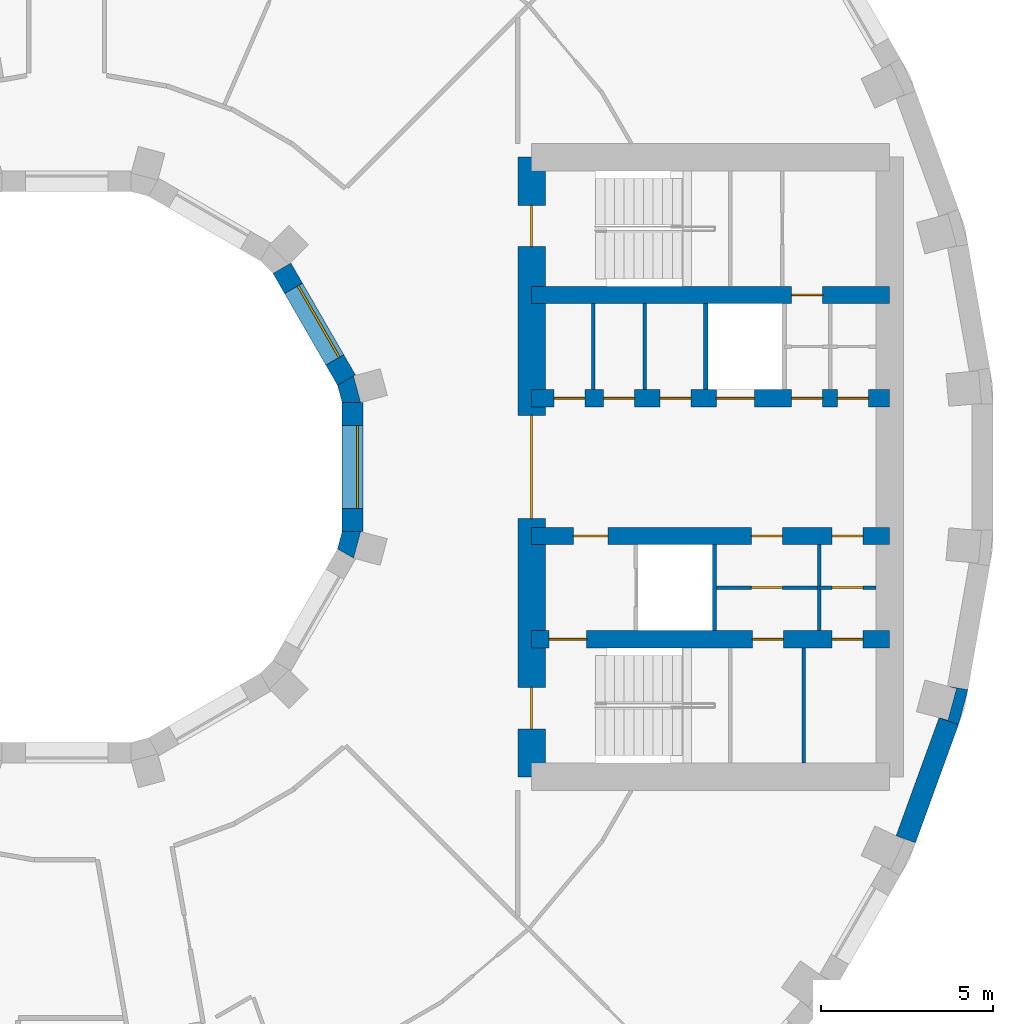
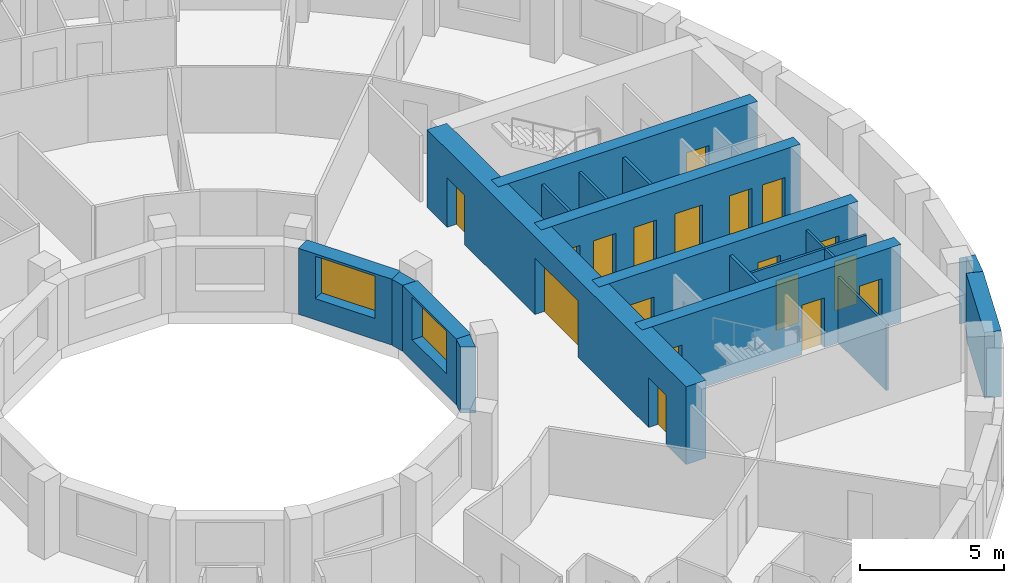
# One storey, part 9 of 15: 19 walls, 18 doors, 2 windows, 20 openings.
"""IFC4 building model written with IfcOpenShell, lengths in metres."""

from ifc_helpers import new_model, si_unit, direction, frame, frame_2d, origin, place, context, subcontext, project, spatial, polyline, rectangle, outline, extrude, material, layer, layer_set, type_object, element, fill, save


model = new_model("IFC4")

# Units and contexts
model_context = context("Model", 3, precision=1e-05, world=origin(), true_north=direction((0.0, 1.0)))
body_context = subcontext(model_context, "Body", "Model", "MODEL_VIEW")
ifc_project = project(units=[si_unit("LENGTHUNIT", "METRE"), si_unit("AREAUNIT", "SQUARE_METRE"), si_unit("VOLUMEUNIT", "CUBIC_METRE"), si_unit("PLANEANGLEUNIT", "RADIAN"), si_unit("MASSUNIT", "GRAM", prefix="KILO")], contexts=[model_context])

# Site, building, storey
site_placement = place(None, origin())
site = spatial("IfcSite", under=ifc_project, at=site_placement, CompositionType="ELEMENT")
building_placement = place(site_placement, origin())
building = spatial("IfcBuilding", under=site, at=building_placement, Name="Saqina Gate Tower", CompositionType="ELEMENT")
storey_placement = place(building_placement, frame((0.0, 0.0, 108.39990234375)))
storey = spatial("IfcBuildingStorey", under=building, at=storey_placement, Name="L30", CompositionType="ELEMENT", Elevation=108.39990234375)

# Walls
ifc_material_1 = material(Name="Brick masonry (buff)", Category="masonry")
wall_type_1 = type_object("IfcWallType", Name="BRICK PIER COPING BUFF", PredefinedType="SOLIDWALL", material=ifc_material_1)
wall_1_placement = place(storey_placement, origin())
element("IfcWall", 1, at=wall_1_placement, inside=storey, type_object=wall_type_1, Name="Pier cap L30 column 35", PredefinedType="SOLIDWALL", context=body_context, shape_type="SweptSolid", body=[
    extrude(outline(polyline([(25.89892578125, -7.485595703125), (26.171875, -6.466796875), (25.5810546875, -6.36279296875), (25.8408203125, -6.43212890625), (25.5947265625, -7.349853515625), (25.335205078125, -7.2802734375), (25.89892578125, -7.485595703125)])), origin(), (0.0, 0.0, 1.0), 2.800048828125),
])
ifc_material_2 = material(Name="Gypsum board on steel studs", Category="steel")
ifc_layer_1 = layer(ifc_material_2, 0.10009765625)
ifc_layer_set_1 = layer_set([ifc_layer_1], Name="CORE PARTITION")
wall_type_2 = type_object("IfcWallType", Name="CORE PARTITION", PredefinedType="PARTITIONING", material=ifc_layer_set_1)
for number, where, z_axis, x_axis, name in (
    (2, (15.298095703125, 2.25, 0.0), (0.0, 0.0, 1.0), (0.0, 1.0, 0.0), "L30-CP-E01"),
    (3, (16.789306640625, 2.25, 0.0), (0.0, 0.0, 1.0), (0.0, 1.0, 0.0), "L30-CP-E02"),
    (4, (21.8583984375, -4.75, 0.0), (0.0, 0.0, 1.0), (0.0, 1.0, 0.0), "L30-CP-E08"),
):
    element("IfcWall", number, at=place(storey_placement, frame(where, z_axis=z_axis, x_axis=x_axis)), inside=storey, type_object=wall_type_2, Name=name, PredefinedType="PARTITIONING", context=body_context, shape_type="SweptSolid", body=[
        extrude(rectangle(XDim=2.5, YDim=0.10009765625, at=frame_2d((1.25, 0.0))), origin(), (0.0, 0.0, 1.0), 2.800048828125),
    ])

# Wall, opening, door
wall_2_placement = place(storey_placement, frame((18.81005859375, -3.5, 0.0), z_axis=(0.0, 0.0, 1.0), x_axis=(1.0, 0.0, 0.0)))
wall_2 = element("IfcWall", 5, at=wall_2_placement, inside=storey, type_object=wall_type_2, Name="L30-CP-E11", PredefinedType="PARTITIONING", context=body_context, shape_type="SweptSolid", body=[
    extrude(rectangle(XDim=3.04833984375, YDim=0.10009765625, at=frame_2d((1.524169921875, 0.0))), origin(), (0.0, 0.0, 1.0), 2.800048828125),
])
opening_1_placement = place(wall_2_placement, frame((1.07421875, 0.0, 0.0)))
opening_1 = element("IfcOpeningElement", 6, at=opening_1_placement, cuts=wall_2, Name="Opening G08-D103", PredefinedType="OPENING", context=body_context, shape_type="SweptSolid", body=[
    extrude(rectangle(XDim=0.89990234375, YDim=2.10009765625, at=frame_2d((0.449951171875, 1.050048828125))), frame((0.0, 0.06201171875, 0.0), z_axis=(0.0, -1.0, 0.0), x_axis=(1.0, 0.0, 0.0)), (0.0, 0.0, 1.0), 0.1240234375),
])
ifc_material_3 = material(Name="Steel-framed fire door leaf, EI 60", Category="steel")
door_type_1 = type_object("IfcDoorType", Name="SERVICE ROOM DOOR 900", OperationType="SINGLE_SWING_LEFT", PredefinedType="DOOR", material=ifc_material_3)
door_1_placement = place(opening_1_placement, frame((0.89990234375, 0.0, 0.0), z_axis=(0.0, 0.0, 1.0), x_axis=(-1.0, 0.0, 0.0)))
door_1 = element("IfcDoor", 7, at=door_1_placement, inside=storey, type_object=door_type_1, Name="L30-CD-E14", OperationType="SINGLE_SWING_RIGHT", OverallHeight=2.10009765625, OverallWidth=0.89990234375, PredefinedType="DOOR", context=body_context, shape_type="SweptSolid", body=[
    extrude(rectangle(XDim=0.89990234375, YDim=2.10009765625, at=frame_2d((0.449951171875, 1.050048828125))), frame((0.0, 0.02490234375, 0.0), z_axis=(0.0, -1.0, 0.0), x_axis=(1.0, 0.0, 0.0)), (0.0, 0.0, 1.0), 0.050048828125),
])
fill(opening_1, door_1)

wall_3_placement = place(storey_placement, frame((21.8583984375, -3.5, 0.0), z_axis=(0.0, 0.0, 1.0), x_axis=(1.0, 0.0, 0.0)))
wall_3 = element("IfcWall", 8, at=wall_3_placement, inside=storey, type_object=wall_type_2, Name="L30-CP-E12", PredefinedType="PARTITIONING", context=body_context, shape_type="SweptSolid", body=[
    extrude(rectangle(XDim=1.6416015625, YDim=0.10009765625, at=frame_2d((0.82080078125, 0.0))), origin(), (0.0, 0.0, 1.0), 2.800048828125),
])
opening_2_placement = place(wall_3_placement, frame((0.370849609375, 0.0, 0.0)))
opening_2 = element("IfcOpeningElement", 9, at=opening_2_placement, cuts=wall_3, Name="Opening G08-D102", PredefinedType="OPENING", context=body_context, shape_type="SweptSolid", body=[
    extrude(rectangle(XDim=0.89990234375, YDim=2.10009765625, at=frame_2d((0.449951171875, 1.050048828125))), frame((0.0, 0.06201171875, 0.0), z_axis=(0.0, -1.0, 0.0), x_axis=(1.0, 0.0, 0.0)), (0.0, 0.0, 1.0), 0.1240234375),
])
door_2_placement = place(opening_2_placement, frame((0.89990234375, 0.0, 0.0), z_axis=(0.0, 0.0, 1.0), x_axis=(-1.0, 0.0, 0.0)))
door_2 = element("IfcDoor", 10, at=door_2_placement, inside=storey, type_object=door_type_1, Name="L30-CD-E13", OperationType="SINGLE_SWING_LEFT", OverallHeight=2.10009765625, OverallWidth=0.89990234375, PredefinedType="DOOR", context=body_context, shape_type="SweptSolid", body=[
    extrude(rectangle(XDim=0.89990234375, YDim=2.10009765625, at=frame_2d((0.449951171875, 1.050048828125))), frame((0.0, 0.02490234375, 0.0), z_axis=(0.0, -1.0, 0.0), x_axis=(1.0, 0.0, 0.0)), (0.0, 0.0, 1.0), 0.050048828125),
])
fill(opening_2, door_2)

# Walls
wall_4_placement = place(storey_placement, frame((21.409912109375, -8.60009765625, 0.0), z_axis=(0.0, 0.0, 1.0), x_axis=(0.0, 1.0, 0.0)))
element("IfcWall", 11, at=wall_4_placement, inside=storey, type_object=wall_type_2, Name="L30-CP-E16", PredefinedType="PARTITIONING", context=body_context, shape_type="SweptSolid", body=[
    extrude(rectangle(XDim=3.35009765625, YDim=0.10009765625, at=frame_2d((1.675048828125, 0.0))), origin(), (0.0, 0.0, 1.0), 2.800048828125),
])
ifc_material_4 = material(Name="Glazed ceramic tile (white)", Category="ceramic")
ifc_layer_2 = layer(ifc_material_4, 0.60009765625)
ifc_layer_set_2 = layer_set([ifc_layer_2], Name="FW-TILE-WH")
wall_type_3 = type_object("IfcWallType", Name="FW-TILE-WH", PredefinedType="SOLIDWALL", material=ifc_layer_set_2)
wall_5_placement = place(storey_placement, frame((24.369384765625, -10.810791015625, 0.0), z_axis=(0.0, 0.0, 1.0), x_axis=(0.341990236633, 0.939703505393, 0.0)))
element("IfcWall", 12, at=wall_5_placement, inside=storey, type_object=wall_type_3, Name="Facade wall L30 facet 34", PredefinedType="SOLIDWALL", context=body_context, shape_type="SweptSolid", body=[
    extrude(rectangle(XDim=3.64794921875, YDim=0.60009765625, at=frame_2d((1.823974609375, 0.0))), origin(), (0.0, 0.0, 1.0), 2.800048828125),
])

# Wall, opening, window
ifc_material_5 = material(Name="Glazed ceramic tile", Category="ceramic")
ifc_layer_3 = layer(ifc_material_5, 0.60009765625)
ifc_layer_set_3 = layer_set([ifc_layer_3], Name="IW-TILE")
wall_type_4 = type_object("IfcWallType", Name="IW-TILE", PredefinedType="SOLIDWALL", material=ifc_layer_set_3)
wall_6_placement = place(storey_placement, frame((8.124755859375, 2.52734375, 0.0), z_axis=(0.0, 0.0, 1.0), x_axis=(-0.499964958637, 0.86604563398, 0.0)))
wall_6 = element("IfcWall", 13, at=wall_6_placement, inside=storey, type_object=wall_type_4, Name="Well wall L30 facet 1", PredefinedType="SOLIDWALL", context=body_context, shape_type="SweptSolid", body=[
    extrude(rectangle(XDim=3.747314453125, YDim=0.60009765625, at=frame_2d((1.87353515625, 0.0))), origin(), (0.0, 0.0, 1.0), 2.800048828125),
])
opening_3_placement = place(wall_6_placement, frame((0.673583984375, 0.0, 0.89990234375)))
opening_3 = element("IfcOpeningElement", 14, at=opening_3_placement, cuts=wall_6, Name="Opening G08-W23", PredefinedType="OPENING", context=body_context, shape_type="SweptSolid", body=[
    extrude(rectangle(XDim=2.39990234375, YDim=1.800048828125, at=frame_2d((1.199951171875, 0.89990234375))), frame((0.0, 0.31201171875, 0.0), z_axis=(0.0, -1.0, 0.0), x_axis=(1.0, 0.0, 0.0)), (0.0, 0.0, 1.0), 0.6240234375),
])
ifc_material_6 = material(Name="Aluminium glazing", Category="aluminium")
window_type = type_object("IfcWindowType", Name="WN-W", PartitioningType="SINGLE_PANEL", PredefinedType="WINDOW", material=ifc_material_6)
window_1_placement = place(opening_3_placement, origin())
window_1 = element("IfcWindow", 15, at=window_1_placement, inside=storey, type_object=window_type, Name="Well window L30 facet 1", OverallHeight=1.800048828125, OverallWidth=2.39990234375, PartitioningType="SINGLE_PANEL", PredefinedType="WINDOW", context=body_context, shape_type="SweptSolid", body=[
    extrude(rectangle(XDim=2.39990234375, YDim=1.800048828125, at=frame_2d((1.199951171875, 0.89990234375))), frame((0.0, -0.119873046875, 0.0), z_axis=(0.0, -1.0, 0.0), x_axis=(1.0, 0.0, 0.0)), (0.0, 0.0, 1.0), 0.06005859375),
])
fill(opening_3, window_1)

wall_7_placement = place(storey_placement, frame((8.300048828125, -1.873779296875, 0.0), z_axis=(0.0, 0.0, 1.0), x_axis=(0.0, 1.0, 0.0)))
wall_7 = element("IfcWall", 16, at=wall_7_placement, inside=storey, type_object=wall_type_4, Name="Well wall L30 facet 12", PredefinedType="SOLIDWALL", context=body_context, shape_type="SweptSolid", body=[
    extrude(rectangle(XDim=3.74755859375, YDim=0.60009765625, at=frame_2d((1.873779296875, 0.0))), origin(), (0.0, 0.0, 1.0), 2.800048828125),
])
opening_4_placement = place(wall_7_placement, frame((0.673583984375, 0.0, 0.89990234375)))
opening_4 = element("IfcOpeningElement", 17, at=opening_4_placement, cuts=wall_7, Name="Opening G08-W34", PredefinedType="OPENING", context=body_context, shape_type="SweptSolid", body=[
    extrude(rectangle(XDim=2.39990234375, YDim=1.800048828125, at=frame_2d((1.199951171875, 0.89990234375))), frame((0.0, 0.31201171875, 0.0), z_axis=(0.0, -1.0, 0.0), x_axis=(1.0, 0.0, 0.0)), (0.0, 0.0, 1.0), 0.6240234375),
])
window_2_placement = place(opening_4_placement, origin())
window_2 = element("IfcWindow", 18, at=window_2_placement, inside=storey, type_object=window_type, Name="Well window L30 facet 12", OverallHeight=1.800048828125, OverallWidth=2.39990234375, PartitioningType="SINGLE_PANEL", PredefinedType="WINDOW", context=body_context, shape_type="SweptSolid", body=[
    extrude(rectangle(XDim=2.39990234375, YDim=1.800048828125, at=frame_2d((1.199951171875, 0.89990234375))), frame((0.0, -0.119873046875, 0.0), z_axis=(0.0, -1.0, 0.0), x_axis=(1.0, 0.0, 0.0)), (0.0, 0.0, 1.0), 0.06005859375),
])
fill(opening_4, window_2)

# Walls
ifc_material_7 = material(Name="Autoclaved aerated concrete block", Category="concrete")
ifc_layer_4 = layer(ifc_material_7, 0.1201171875)
ifc_layer_set_4 = layer_set([ifc_layer_4], Name="SHAFT PARTITION")
wall_type_5 = type_object("IfcWallType", Name="SHAFT PARTITION", PredefinedType="PARTITIONING", material=ifc_layer_set_4)
for number, where, z_axis, x_axis, name in (
    (19, (18.56005859375, 2.25, 0.0), (0.0, 0.0, 1.0), (0.0, 1.0, 0.0), "L30-CP-E03"),
    (20, (18.81005859375, -4.75, 0.0), (0.0, 0.0, 1.0), (0.0, 1.0, 0.0), "L30-CP-E07"),
):
    element("IfcWall", number, at=place(storey_placement, frame(where, z_axis=z_axis, x_axis=x_axis)), inside=storey, type_object=wall_type_5, Name=name, PredefinedType="PARTITIONING", context=body_context, shape_type="SweptSolid", body=[
        extrude(rectangle(XDim=2.5, YDim=0.1201171875, at=frame_2d((1.25, 0.0))), origin(), (0.0, 0.0, 1.0), 2.800048828125),
    ])

# Wall, opening, door
ifc_material_8 = material(Name="Concrete C70/85", Category="concrete")
ifc_layer_5 = layer(ifc_material_8, 0.5)
ifc_layer_set_5 = layer_set([ifc_layer_5], Name="Concrete C70/85")
wall_type_6 = type_object("IfcWallType", Name="STR-CORE WALL-B-I", PredefinedType="SHEAR", material=ifc_layer_set_5)
wall_8_placement = place(storey_placement, frame((13.5, 5.0, 0.0), z_axis=(0.0, 0.0, 1.0), x_axis=(1.0, 0.0, 0.0)))
wall_8 = element("IfcWall", 21, at=wall_8_placement, inside=storey, type_object=wall_type_6, Name="CORE WALL L30 E-X1", PredefinedType="SHEAR", context=body_context, shape_type="SweptSolid", body=[
    extrude(rectangle(XDim=10.39990234375, YDim=0.5, at=frame_2d((5.199951171875, 0.0))), origin(), (0.0, 0.0, 1.0), 3.300048828125),
])
opening_5_placement = place(wall_8_placement, frame((7.554931640625, 0.0, 0.0)))
opening_5 = element("IfcOpeningElement", 22, at=opening_5_placement, cuts=wall_8, Name="Opening G08-D101", PredefinedType="OPENING", context=body_context, shape_type="SweptSolid", body=[
    extrude(rectangle(XDim=0.89990234375, YDim=2.10009765625, at=frame_2d((0.449951171875, 1.050048828125))), frame((0.0, 0.261962890625, 0.0), z_axis=(0.0, -1.0, 0.0), x_axis=(1.0, 0.0, 0.0)), (0.0, 0.0, 1.0), 0.52392578125),
])
door_3_placement = place(opening_5_placement, origin())
door_3 = element("IfcDoor", 23, at=door_3_placement, inside=storey, type_object=door_type_1, Name="L30-CD-E12", OperationType="SINGLE_SWING_LEFT", OverallHeight=2.10009765625, OverallWidth=0.89990234375, PredefinedType="DOOR", context=body_context, shape_type="SweptSolid", body=[
    extrude(rectangle(XDim=0.89990234375, YDim=2.10009765625, at=frame_2d((0.449951171875, 1.050048828125))), frame((0.0, 0.02490234375, 0.0), z_axis=(0.0, -1.0, 0.0), x_axis=(1.0, 0.0, 0.0)), (0.0, 0.0, 1.0), 0.050048828125),
])
fill(opening_5, door_3)

# Wall, openings, doors
wall_9_placement = place(storey_placement, frame((13.5, -5.0, 0.0), z_axis=(0.0, 0.0, 1.0), x_axis=(1.0, 0.0, 0.0)))
wall_9 = element("IfcWall", 24, at=wall_9_placement, inside=storey, type_object=wall_type_6, Name="CORE WALL L30 E-X2", PredefinedType="SHEAR", context=body_context, shape_type="SweptSolid", body=[
    extrude(rectangle(XDim=10.39990234375, YDim=0.5, at=frame_2d((5.199951171875, 0.0))), origin(), (0.0, 0.0, 1.0), 3.300048828125),
])
opening_6_placement = place(wall_9_placement, frame((6.4150390625, 0.0, 0.0)))
opening_6 = element("IfcOpeningElement", 25, at=opening_6_placement, cuts=wall_9, Name="Opening G08-D104", PredefinedType="OPENING", context=body_context, shape_type="SweptSolid", body=[
    extrude(rectangle(XDim=0.89990234375, YDim=2.10009765625, at=frame_2d((0.449951171875, 1.050048828125))), frame((0.0, 0.261962890625, 0.0), z_axis=(0.0, -1.0, 0.0), x_axis=(1.0, 0.0, 0.0)), (0.0, 0.0, 1.0), 0.52392578125),
])
opening_7_placement = place(wall_9_placement, frame((8.729248046875, 0.0, 0.0)))
opening_7 = element("IfcOpeningElement", 26, at=opening_7_placement, cuts=wall_9, Name="Opening G08-D105", PredefinedType="OPENING", context=body_context, shape_type="SweptSolid", body=[
    extrude(rectangle(XDim=0.89990234375, YDim=2.10009765625, at=frame_2d((0.449951171875, 1.050048828125))), frame((0.0, 0.261962890625, 0.0), z_axis=(0.0, -1.0, 0.0), x_axis=(1.0, 0.0, 0.0)), (0.0, 0.0, 1.0), 0.52392578125),
])
opening_8_placement = place(wall_9_placement, frame((0.5, 0.0, 0.0)))
opening_8 = element("IfcOpeningElement", 27, at=opening_8_placement, cuts=wall_9, Name="Opening G08-D106", PredefinedType="OPENING", context=body_context, shape_type="SweptSolid", body=[
    extrude(rectangle(XDim=1.10009765625, YDim=2.10009765625, at=frame_2d((0.550048828125, 1.050048828125))), frame((0.0, 0.261962890625, 0.0), z_axis=(0.0, -1.0, 0.0), x_axis=(1.0, 0.0, 0.0)), (0.0, 0.0, 1.0), 0.52392578125),
])
ifc_material_9 = material(Name="Steel", Category="steel")
door_type_2 = type_object("IfcDoorType", Name="FIRE LOBBY DOOR EI 60 WIDE", OperationType="SINGLE_SWING_LEFT", PredefinedType="DOOR", material=ifc_material_9)
door_4_placement = place(opening_8_placement, frame((1.10009765625, 0.0, 0.0), z_axis=(0.0, 0.0, 1.0), x_axis=(-1.0, 0.0, 0.0)))
door_4 = element("IfcDoor", 28, at=door_4_placement, inside=storey, type_object=door_type_2, Name="L30-CD-E17", OperationType="SINGLE_SWING_RIGHT", OverallHeight=2.10009765625, OverallWidth=1.10009765625, PredefinedType="DOOR", context=body_context, shape_type="SweptSolid", body=[
    extrude(rectangle(XDim=1.10009765625, YDim=2.10009765625, at=frame_2d((0.550048828125, 1.050048828125))), frame((0.0, 0.02490234375, 0.0), z_axis=(0.0, -1.0, 0.0), x_axis=(1.0, 0.0, 0.0)), (0.0, 0.0, 1.0), 0.050048828125),
])
fill(opening_8, door_4)
door_5_placement = place(opening_6_placement, frame((0.89990234375, 0.0, 0.0), z_axis=(0.0, 0.0, 1.0), x_axis=(-1.0, 0.0, 0.0)))
door_5 = element("IfcDoor", 29, at=door_5_placement, inside=storey, type_object=door_type_1, Name="L30-CD-E15", OperationType="SINGLE_SWING_LEFT", OverallHeight=2.10009765625, OverallWidth=0.89990234375, PredefinedType="DOOR", context=body_context, shape_type="SweptSolid", body=[
    extrude(rectangle(XDim=0.89990234375, YDim=2.10009765625, at=frame_2d((0.449951171875, 1.050048828125))), frame((0.0, 0.02490234375, 0.0), z_axis=(0.0, -1.0, 0.0), x_axis=(1.0, 0.0, 0.0)), (0.0, 0.0, 1.0), 0.050048828125),
])
fill(opening_6, door_5)
door_6_placement = place(opening_7_placement, frame((0.89990234375, 0.0, 0.0), z_axis=(0.0, 0.0, 1.0), x_axis=(-1.0, 0.0, 0.0)))
door_6 = element("IfcDoor", 30, at=door_6_placement, inside=storey, type_object=door_type_1, Name="L30-CD-E16", OperationType="SINGLE_SWING_LEFT", OverallHeight=2.10009765625, OverallWidth=0.89990234375, PredefinedType="DOOR", context=body_context, shape_type="SweptSolid", body=[
    extrude(rectangle(XDim=0.89990234375, YDim=2.10009765625, at=frame_2d((0.449951171875, 1.050048828125))), frame((0.0, 0.02490234375, 0.0), z_axis=(0.0, -1.0, 0.0), x_axis=(1.0, 0.0, 0.0)), (0.0, 0.0, 1.0), 0.050048828125),
])
fill(opening_7, door_6)

wall_10_placement = place(storey_placement, frame((13.5, 2.0, 0.0), z_axis=(0.0, 0.0, 1.0), x_axis=(1.0, 0.0, 0.0)))
wall_10 = element("IfcWall", 31, at=wall_10_placement, inside=storey, type_object=wall_type_6, Name="CORE WALL L30 E-L1", PredefinedType="SHEAR", context=body_context, shape_type="SweptSolid", body=[
    extrude(rectangle(XDim=10.39990234375, YDim=0.5, at=frame_2d((5.199951171875, 0.0))), origin(), (0.0, 0.0, 1.0), 3.300048828125),
])
opening_9_placement = place(wall_10_placement, frame((5.3701171875, 0.0, 0.0)))
opening_9 = element("IfcOpeningElement", 32, at=opening_9_placement, cuts=wall_10, Name="Opening G08-LD1", PredefinedType="OPENING", context=body_context, shape_type="SweptSolid", body=[
    extrude(rectangle(XDim=1.10009765625, YDim=2.10009765625, at=frame_2d((0.550048828125, 1.050048828125))), frame((0.0, 0.261962890625, 0.0), z_axis=(0.0, -1.0, 0.0), x_axis=(1.0, 0.0, 0.0)), (0.0, 0.0, 1.0), 0.52392578125),
])
opening_10_placement = place(wall_10_placement, frame((0.64892578125, 0.0, 0.0)))
opening_10 = element("IfcOpeningElement", 33, at=opening_10_placement, cuts=wall_10, Name="Opening G08-D90", PredefinedType="OPENING", context=body_context, shape_type="SweptSolid", body=[
    extrude(rectangle(XDim=0.89990234375, YDim=2.10009765625, at=frame_2d((0.449951171875, 1.050048828125))), frame((0.0, 0.261962890625, 0.0), z_axis=(0.0, -1.0, 0.0), x_axis=(1.0, 0.0, 0.0)), (0.0, 0.0, 1.0), 0.52392578125),
])
opening_11_placement = place(wall_10_placement, frame((2.093505859375, 0.0, 0.0)))
opening_11 = element("IfcOpeningElement", 34, at=opening_11_placement, cuts=wall_10, Name="Opening G08-D91", PredefinedType="OPENING", context=body_context, shape_type="SweptSolid", body=[
    extrude(rectangle(XDim=0.89990234375, YDim=2.10009765625, at=frame_2d((0.449951171875, 1.050048828125))), frame((0.0, 0.261962890625, 0.0), z_axis=(0.0, -1.0, 0.0), x_axis=(1.0, 0.0, 0.0)), (0.0, 0.0, 1.0), 0.52392578125),
])
opening_12_placement = place(wall_10_placement, frame((3.724609375, 0.0, 0.0)))
opening_12 = element("IfcOpeningElement", 35, at=opening_12_placement, cuts=wall_10, Name="Opening G08-D92", PredefinedType="OPENING", context=body_context, shape_type="SweptSolid", body=[
    extrude(rectangle(XDim=0.89990234375, YDim=2.10009765625, at=frame_2d((0.449951171875, 1.050048828125))), frame((0.0, 0.261962890625, 0.0), z_axis=(0.0, -1.0, 0.0), x_axis=(1.0, 0.0, 0.0)), (0.0, 0.0, 1.0), 0.52392578125),
])
opening_13_placement = place(wall_10_placement, frame((7.554931640625, 0.0, 0.0)))
opening_13 = element("IfcOpeningElement", 36, at=opening_13_placement, cuts=wall_10, Name="Opening G08-D93", PredefinedType="OPENING", context=body_context, shape_type="SweptSolid", body=[
    extrude(rectangle(XDim=0.89990234375, YDim=2.10009765625, at=frame_2d((0.449951171875, 1.050048828125))), frame((0.0, 0.261962890625, 0.0), z_axis=(0.0, -1.0, 0.0), x_axis=(1.0, 0.0, 0.0)), (0.0, 0.0, 1.0), 0.52392578125),
])
opening_14_placement = place(wall_10_placement, frame((8.885009765625, 0.0, 0.0)))
opening_14 = element("IfcOpeningElement", 37, at=opening_14_placement, cuts=wall_10, Name="Opening G08-D94", PredefinedType="OPENING", context=body_context, shape_type="SweptSolid", body=[
    extrude(rectangle(XDim=0.89990234375, YDim=2.10009765625, at=frame_2d((0.449951171875, 1.050048828125))), frame((0.0, 0.261962890625, 0.0), z_axis=(0.0, -1.0, 0.0), x_axis=(1.0, 0.0, 0.0)), (0.0, 0.0, 1.0), 0.52392578125),
])
ifc_material_10 = material(Name="Stainless steel", Category="steel")
door_type_3 = type_object("IfcDoorType", Name="LANDING DOOR", OperationType="DOUBLE_DOOR_SLIDING", PredefinedType="DOOR", material=ifc_material_10)
door_7_placement = place(opening_9_placement, origin())
door_7 = element("IfcDoor", 38, at=door_7_placement, inside=storey, type_object=door_type_3, Name="LANDING DOOR MR1", OperationType="DOUBLE_DOOR_SLIDING", OverallHeight=2.10009765625, OverallWidth=1.10009765625, PredefinedType="DOOR", context=body_context, shape_type="SweptSolid", body=[
    extrude(rectangle(XDim=1.10009765625, YDim=2.10009765625, at=frame_2d((0.550048828125, 1.050048828125))), frame((0.0, 0.02490234375, 0.0), z_axis=(0.0, -1.0, 0.0), x_axis=(1.0, 0.0, 0.0)), (0.0, 0.0, 1.0), 0.050048828125),
])
fill(opening_9, door_7)
door_8_placement = place(opening_10_placement, origin())
door_8 = element("IfcDoor", 39, at=door_8_placement, inside=storey, type_object=door_type_1, Name="L30-CD-E01", OperationType="SINGLE_SWING_LEFT", OverallHeight=2.10009765625, OverallWidth=0.89990234375, PredefinedType="DOOR", context=body_context, shape_type="SweptSolid", body=[
    extrude(rectangle(XDim=0.89990234375, YDim=2.10009765625, at=frame_2d((0.449951171875, 1.050048828125))), frame((0.0, 0.02490234375, 0.0), z_axis=(0.0, -1.0, 0.0), x_axis=(1.0, 0.0, 0.0)), (0.0, 0.0, 1.0), 0.050048828125),
])
fill(opening_10, door_8)
door_9_placement = place(opening_11_placement, origin())
door_9 = element("IfcDoor", 40, at=door_9_placement, inside=storey, type_object=door_type_1, Name="L30-CD-E02", OperationType="SINGLE_SWING_LEFT", OverallHeight=2.10009765625, OverallWidth=0.89990234375, PredefinedType="DOOR", context=body_context, shape_type="SweptSolid", body=[
    extrude(rectangle(XDim=0.89990234375, YDim=2.10009765625, at=frame_2d((0.449951171875, 1.050048828125))), frame((0.0, 0.02490234375, 0.0), z_axis=(0.0, -1.0, 0.0), x_axis=(1.0, 0.0, 0.0)), (0.0, 0.0, 1.0), 0.050048828125),
])
fill(opening_11, door_9)
door_10_placement = place(opening_12_placement, origin())
door_10 = element("IfcDoor", 41, at=door_10_placement, inside=storey, type_object=door_type_1, Name="L30-CD-E03", OperationType="SINGLE_SWING_RIGHT", OverallHeight=2.10009765625, OverallWidth=0.89990234375, PredefinedType="DOOR", context=body_context, shape_type="SweptSolid", body=[
    extrude(rectangle(XDim=0.89990234375, YDim=2.10009765625, at=frame_2d((0.449951171875, 1.050048828125))), frame((0.0, 0.02490234375, 0.0), z_axis=(0.0, -1.0, 0.0), x_axis=(1.0, 0.0, 0.0)), (0.0, 0.0, 1.0), 0.050048828125),
])
fill(opening_12, door_10)
door_11_placement = place(opening_13_placement, origin())
door_11 = element("IfcDoor", 42, at=door_11_placement, inside=storey, type_object=door_type_1, Name="L30-CD-E04", OperationType="SINGLE_SWING_LEFT", OverallHeight=2.10009765625, OverallWidth=0.89990234375, PredefinedType="DOOR", context=body_context, shape_type="SweptSolid", body=[
    extrude(rectangle(XDim=0.89990234375, YDim=2.10009765625, at=frame_2d((0.449951171875, 1.050048828125))), frame((0.0, 0.02490234375, 0.0), z_axis=(0.0, -1.0, 0.0), x_axis=(1.0, 0.0, 0.0)), (0.0, 0.0, 1.0), 0.050048828125),
])
fill(opening_13, door_11)
door_12_placement = place(opening_14_placement, origin())
door_12 = element("IfcDoor", 43, at=door_12_placement, inside=storey, type_object=door_type_1, Name="L30-CD-E05", OperationType="SINGLE_SWING_RIGHT", OverallHeight=2.10009765625, OverallWidth=0.89990234375, PredefinedType="DOOR", context=body_context, shape_type="SweptSolid", body=[
    extrude(rectangle(XDim=0.89990234375, YDim=2.10009765625, at=frame_2d((0.449951171875, 1.050048828125))), frame((0.0, 0.02490234375, 0.0), z_axis=(0.0, -1.0, 0.0), x_axis=(1.0, 0.0, 0.0)), (0.0, 0.0, 1.0), 0.050048828125),
])
fill(opening_14, door_12)

wall_11_placement = place(storey_placement, frame((13.5, -2.0, 0.0), z_axis=(0.0, 0.0, 1.0), x_axis=(1.0, 0.0, 0.0)))
wall_11 = element("IfcWall", 44, at=wall_11_placement, inside=storey, type_object=wall_type_6, Name="CORE WALL L30 E-L2", PredefinedType="SHEAR", context=body_context, shape_type="SweptSolid", body=[
    extrude(rectangle(XDim=10.39990234375, YDim=0.5, at=frame_2d((5.199951171875, 0.0))), origin(), (0.0, 0.0, 1.0), 3.300048828125),
])
opening_15_placement = place(wall_11_placement, frame((1.215087890625, 0.0, 0.0)))
opening_15 = element("IfcOpeningElement", 45, at=opening_15_placement, cuts=wall_11, Name="Opening G08-D95", PredefinedType="OPENING", context=body_context, shape_type="SweptSolid", body=[
    extrude(rectangle(XDim=1.0, YDim=2.10009765625, at=frame_2d((0.5, 1.050048828125))), frame((0.0, 0.261962890625, 0.0), z_axis=(0.0, -1.0, 0.0), x_axis=(1.0, 0.0, 0.0)), (0.0, 0.0, 1.0), 0.52392578125),
])
opening_16_placement = place(wall_11_placement, frame((6.38427734375, 0.0, 0.0)))
opening_16 = element("IfcOpeningElement", 46, at=opening_16_placement, cuts=wall_11, Name="Opening G08-D96", PredefinedType="OPENING", context=body_context, shape_type="SweptSolid", body=[
    extrude(rectangle(XDim=0.89990234375, YDim=2.10009765625, at=frame_2d((0.449951171875, 1.050048828125))), frame((0.0, 0.261962890625, 0.0), z_axis=(0.0, -1.0, 0.0), x_axis=(1.0, 0.0, 0.0)), (0.0, 0.0, 1.0), 0.52392578125),
])
opening_17_placement = place(wall_11_placement, frame((8.729248046875, 0.0, 0.0)))
opening_17 = element("IfcOpeningElement", 47, at=opening_17_placement, cuts=wall_11, Name="Opening G08-D97", PredefinedType="OPENING", context=body_context, shape_type="SweptSolid", body=[
    extrude(rectangle(XDim=0.89990234375, YDim=2.10009765625, at=frame_2d((0.449951171875, 1.050048828125))), frame((0.0, 0.261962890625, 0.0), z_axis=(0.0, -1.0, 0.0), x_axis=(1.0, 0.0, 0.0)), (0.0, 0.0, 1.0), 0.52392578125),
])
ifc_material_11 = material(Name="Steel", Category="steel")
door_type_4 = type_object("IfcDoorType", Name="FIRE LOBBY DOOR EI 60", OperationType="SINGLE_SWING_LEFT", PredefinedType="DOOR", material=ifc_material_11)
door_13_placement = place(opening_15_placement, origin())
door_13 = element("IfcDoor", 48, at=door_13_placement, inside=storey, type_object=door_type_4, Name="L30-CD-E06", OperationType="SINGLE_SWING_LEFT", OverallHeight=2.10009765625, OverallWidth=1.0, PredefinedType="DOOR", context=body_context, shape_type="SweptSolid", body=[
    extrude(rectangle(XDim=1.0, YDim=2.10009765625, at=frame_2d((0.5, 1.050048828125))), frame((0.0, 0.02490234375, 0.0), z_axis=(0.0, -1.0, 0.0), x_axis=(1.0, 0.0, 0.0)), (0.0, 0.0, 1.0), 0.050048828125),
])
fill(opening_15, door_13)
door_14_placement = place(opening_16_placement, frame((0.89990234375, 0.0, 0.0), z_axis=(0.0, 0.0, 1.0), x_axis=(-1.0, 0.0, 0.0)))
door_14 = element("IfcDoor", 49, at=door_14_placement, inside=storey, type_object=door_type_1, Name="L30-CD-E07", OperationType="SINGLE_SWING_LEFT", OverallHeight=2.10009765625, OverallWidth=0.89990234375, PredefinedType="DOOR", context=body_context, shape_type="SweptSolid", body=[
    extrude(rectangle(XDim=0.89990234375, YDim=2.10009765625, at=frame_2d((0.449951171875, 1.050048828125))), frame((0.0, 0.02490234375, 0.0), z_axis=(0.0, -1.0, 0.0), x_axis=(1.0, 0.0, 0.0)), (0.0, 0.0, 1.0), 0.050048828125),
])
fill(opening_16, door_14)
door_15_placement = place(opening_17_placement, frame((0.89990234375, 0.0, 0.0), z_axis=(0.0, 0.0, 1.0), x_axis=(-1.0, 0.0, 0.0)))
door_15 = element("IfcDoor", 50, at=door_15_placement, inside=storey, type_object=door_type_1, Name="L30-CD-E08", OperationType="SINGLE_SWING_LEFT", OverallHeight=2.10009765625, OverallWidth=0.89990234375, PredefinedType="DOOR", context=body_context, shape_type="SweptSolid", body=[
    extrude(rectangle(XDim=0.89990234375, YDim=2.10009765625, at=frame_2d((0.449951171875, 1.050048828125))), frame((0.0, 0.02490234375, 0.0), z_axis=(0.0, -1.0, 0.0), x_axis=(1.0, 0.0, 0.0)), (0.0, 0.0, 1.0), 0.050048828125),
])
fill(opening_17, door_15)

ifc_material_12 = material(Name="Concrete C70/85", Category="concrete")
ifc_layer_6 = layer(ifc_material_12, 0.800048828125)
ifc_layer_set_6 = layer_set([ifc_layer_6], Name="Concrete C70/85")
wall_type_7 = type_object("IfcWallType", Name="STR-CORE WALL-B-O", PredefinedType="SHEAR", material=ifc_layer_set_6)
wall_12_placement = place(storey_placement, frame((13.5, -9.0, 0.0), z_axis=(0.0, 0.0, 1.0), x_axis=(0.0, 1.0, 0.0)))
wall_12 = element("IfcWall", 51, at=wall_12_placement, inside=storey, type_object=wall_type_7, Name="CORE WALL L30 E-W1", PredefinedType="SHEAR", context=body_context, shape_type="SweptSolid", body=[
    extrude(rectangle(XDim=18.0, YDim=0.800048828125, at=frame_2d((9.0, 0.0))), origin(), (0.0, 0.0, 1.0), 3.300048828125),
])
opening_18_placement = place(wall_12_placement, frame((15.39990234375, 0.0, 0.0)))
opening_18 = element("IfcOpeningElement", 52, at=opening_18_placement, cuts=wall_12, Name="Opening G08-D107", PredefinedType="OPENING", context=body_context, shape_type="SweptSolid", body=[
    extrude(rectangle(XDim=1.199951171875, YDim=2.10009765625, at=frame_2d((0.60009765625, 1.050048828125))), frame((0.0, 0.412109375, 0.0), z_axis=(0.0, -1.0, 0.0), x_axis=(1.0, 0.0, 0.0)), (0.0, 0.0, 1.0), 0.823974609375),
])
opening_19_placement = place(wall_12_placement, frame((1.39990234375, 0.0, 0.0)))
opening_19 = element("IfcOpeningElement", 53, at=opening_19_placement, cuts=wall_12, Name="Opening G08-D108", PredefinedType="OPENING", context=body_context, shape_type="SweptSolid", body=[
    extrude(rectangle(XDim=1.199951171875, YDim=2.10009765625, at=frame_2d((0.60009765625, 1.050048828125))), frame((0.0, 0.412109375, 0.0), z_axis=(0.0, -1.0, 0.0), x_axis=(1.0, 0.0, 0.0)), (0.0, 0.0, 1.0), 0.823974609375),
])
opening_20_placement = place(wall_12_placement, frame((7.5, 0.0, 0.0)))
opening_20 = element("IfcOpeningElement", 54, at=opening_20_placement, cuts=wall_12, Name="Opening G08-D109", PredefinedType="OPENING", context=body_context, shape_type="SweptSolid", body=[
    extrude(rectangle(XDim=3.0, YDim=2.39990234375, at=frame_2d((1.5, 1.199951171875))), frame((0.0, 0.412109375, 0.0), z_axis=(0.0, -1.0, 0.0), x_axis=(1.0, 0.0, 0.0)), (0.0, 0.0, 1.0), 0.823974609375),
])
ifc_material_13 = material(Name="Steel", Category="steel")
door_type_5 = type_object("IfcDoorType", Name="FIRE DOOR EI 60", OperationType="SINGLE_SWING_LEFT", PredefinedType="DOOR", material=ifc_material_13)
door_16_placement = place(opening_18_placement, frame((1.199951171875, 0.0, 0.0), z_axis=(0.0, 0.0, 1.0), x_axis=(-1.0, 0.0, 0.0)))
door_16 = element("IfcDoor", 55, at=door_16_placement, inside=storey, type_object=door_type_5, Name="L30-CD-E18", OperationType="SINGLE_SWING_LEFT", OverallHeight=2.10009765625, OverallWidth=1.199951171875, PredefinedType="DOOR", context=body_context, shape_type="SweptSolid", body=[
    extrude(rectangle(XDim=1.199951171875, YDim=2.10009765625, at=frame_2d((0.60009765625, 1.050048828125))), frame((0.0, 0.02490234375, 0.0), z_axis=(0.0, -1.0, 0.0), x_axis=(1.0, 0.0, 0.0)), (0.0, 0.0, 1.0), 0.050048828125),
])
fill(opening_18, door_16)
door_17_placement = place(opening_19_placement, frame((1.199951171875, 0.0, 0.0), z_axis=(0.0, 0.0, 1.0), x_axis=(-1.0, 0.0, 0.0)))
door_17 = element("IfcDoor", 56, at=door_17_placement, inside=storey, type_object=door_type_5, Name="L30-CD-E19", OperationType="SINGLE_SWING_RIGHT", OverallHeight=2.10009765625, OverallWidth=1.199951171875, PredefinedType="DOOR", context=body_context, shape_type="SweptSolid", body=[
    extrude(rectangle(XDim=1.199951171875, YDim=2.10009765625, at=frame_2d((0.60009765625, 1.050048828125))), frame((0.0, 0.02490234375, 0.0), z_axis=(0.0, -1.0, 0.0), x_axis=(1.0, 0.0, 0.0)), (0.0, 0.0, 1.0), 0.050048828125),
])
fill(opening_19, door_17)
ifc_material_14 = material(Name="Steel and fire-resisting glass", Category="steel")
door_type_6 = type_object("IfcDoorType", Name="LOBBY SCREEN DOOR", OperationType="DOUBLE_DOOR_SLIDING", PredefinedType="DOOR", material=ifc_material_14)
door_18_placement = place(opening_20_placement, origin())
door_18 = element("IfcDoor", 57, at=door_18_placement, inside=storey, type_object=door_type_6, Name="L30-CD-E20", OperationType="DOUBLE_DOOR_SLIDING", OverallHeight=2.39990234375, OverallWidth=3.0, PredefinedType="DOOR", context=body_context, shape_type="SweptSolid", body=[
    extrude(rectangle(XDim=3.0, YDim=2.39990234375, at=frame_2d((1.5, 1.199951171875))), frame((0.0, 0.02490234375, 0.0), z_axis=(0.0, -1.0, 0.0), x_axis=(1.0, 0.0, 0.0)), (0.0, 0.0, 1.0), 0.050048828125),
])
fill(opening_20, door_18)

# Walls
ifc_material_15 = material(Name="Glazed ceramic tile", Category="ceramic")
wall_type_8 = type_object("IfcWallType", Name="TILE PIER COPING", PredefinedType="SOLIDWALL", material=ifc_material_15)
wall_13_placement = place(storey_placement, origin())
element("IfcWall", 58, at=wall_13_placement, inside=storey, type_object=wall_type_8, Name="Well pier cap L30 column 1", PredefinedType="SOLIDWALL", context=body_context, shape_type="SweptSolid", body=[
    extrude(outline(polyline([(8.3310546875, 2.646484375), (7.864990234375, 2.377197265625), (8.0, 1.873779296875), (8.5380859375, 1.873779296875), (8.3310546875, 2.646484375)])), origin(), (0.0, 0.0, 1.0), 2.800048828125),
])
wall_14_placement = place(storey_placement, origin())
element("IfcWall", 59, at=wall_14_placement, inside=storey, type_object=wall_type_8, Name="Well pier cap L30 column 12", PredefinedType="SOLIDWALL", context=body_context, shape_type="SweptSolid", body=[
    extrude(outline(polyline([(8.5380859375, -1.873779296875), (8.0, -1.873779296875), (7.864990234375, -2.377197265625), (8.3310546875, -2.646484375), (8.5380859375, -1.873779296875)])), origin(), (0.0, 0.0, 1.0), 2.800048828125),
])

save(model, "model.ifc")
